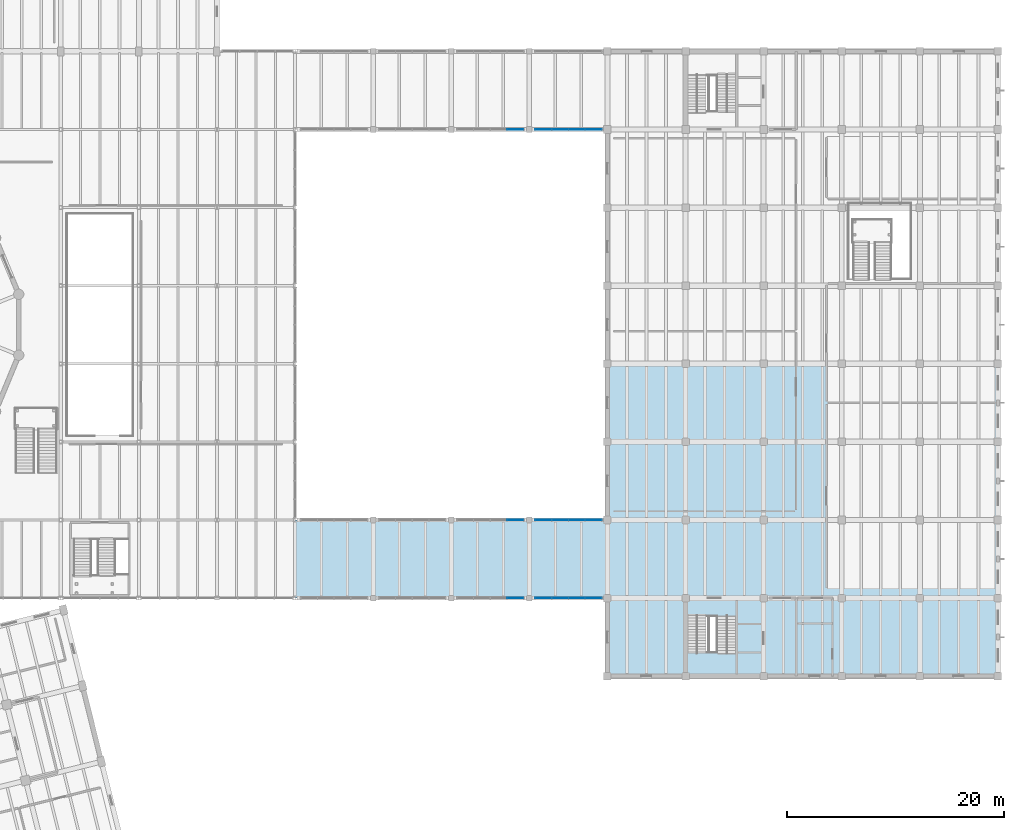
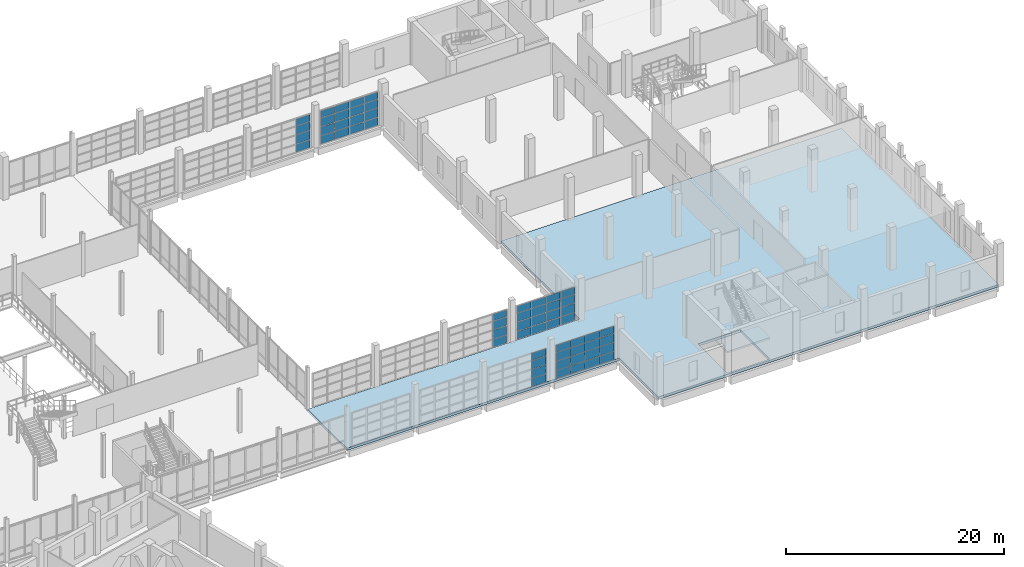
# One storey, part 56 of 77: 60 plates, 2 slabs, 7 elements without a shape of their own.
"""IFC4 building model written with IfcOpenShell, lengths in metres."""

from ifc_helpers import new_model, si_unit, direction, frame, frame_2d, origin, place, context, subcontext, project, spatial, polyline, rectangle, outline, extrude, material, layer, layer_set, type_object, element, aggregate, save


model = new_model("IFC4")

# Units and contexts
model_context = context("Model", 3, precision=1e-05, world=origin(), true_north=direction((0.0, 1.0)))
body_context = subcontext(model_context, "Body", "Model", "MODEL_VIEW")
ifc_project = project(units=[si_unit("LENGTHUNIT", "METRE"), si_unit("AREAUNIT", "SQUARE_METRE"), si_unit("VOLUMEUNIT", "CUBIC_METRE"), si_unit("PLANEANGLEUNIT", "RADIAN"), si_unit("MASSUNIT", "GRAM", prefix="KILO")], contexts=[model_context])

# Site, building, storey
site_placement = place(None, origin())
site = spatial("IfcSite", under=ifc_project, at=site_placement, CompositionType="ELEMENT")
building_placement = place(site_placement, origin())
building = spatial("IfcBuilding", under=site, at=building_placement, Name="Qiaolan Assembly House", CompositionType="ELEMENT")
storey_placement = place(building_placement, frame((0.0, 0.0, 5.39990234375)))
storey = spatial("IfcBuildingStorey", under=building, at=storey_placement, Name="L01", CompositionType="ELEMENT", Elevation=5.39990234375)

# Curtain wall, plates
ifc_material_1 = material(Name="Anodised bronze aluminium", Category="aluminium")
curtain_wall_type = type_object("IfcCurtainWallType", Name="CW-CLOISTER-420", PredefinedType="NOTDEFINED", material=ifc_material_1)
curtain_wall_1_placement = place(storey_placement, origin())
curtain_wall_1 = element("IfcCurtainWall", 1, at=curtain_wall_1_placement, inside=storey, type_object=curtain_wall_type, Name="CW-05 South Cloister outer arcade L01-3", PredefinedType="NOTDEFINED")
ifc_material_2 = material(Name="Low-E double insulating glass", Category="glass")
ifc_layer_1 = layer(ifc_material_2, 0.02587890625)
ifc_layer_set_1 = layer_set([ifc_layer_1], Name="Low-E double insulating glass")
plate_type = type_object("IfcPlateType", Name="CW-CLOISTER-420-PNL", PredefinedType="CURTAIN_PANEL", material=ifc_layer_set_1)
plate_1_placement = place(storey_placement, frame((127.56689453125, 36.0, 0.052978515625), z_axis=(0.0, 0.0, 1.0), x_axis=(1.0, 0.0, 0.0)))
plate_1 = element("IfcPlate", 2, at=plate_1_placement, type_object=plate_type, Name="GL-06 glazing panel CW-CLS-OUT-L01-2-13", PredefinedType="CURTAIN_PANEL", context=body_context, shape_type="SweptSolid", body=[
    extrude(rectangle(XDim=1.486083984375, YDim=0.02587890625, at=frame_2d((0.7431640625, 0.0))), origin(), (0.0, 0.0, 1.0), 0.8740234375),
])
plate_2_placement = place(storey_placement, frame((127.56689453125, 36.0, 0.97314453125), z_axis=(0.0, 0.0, 1.0), x_axis=(1.0, 0.0, 0.0)))
plate_2 = element("IfcPlate", 3, at=plate_2_placement, type_object=plate_type, Name="GL-06 glazing panel CW-CLS-OUT-L01-2-14", PredefinedType="CURTAIN_PANEL", context=body_context, shape_type="SweptSolid", body=[
    extrude(rectangle(XDim=1.486083984375, YDim=0.02587890625, at=frame_2d((0.7431640625, 0.0))), origin(), (0.0, 0.0, 1.0), 0.990234375),
])
plate_3_placement = place(storey_placement, frame((127.56689453125, 36.0, 2.009521484375), z_axis=(0.0, 0.0, 1.0), x_axis=(1.0, 0.0, 0.0)))
plate_3 = element("IfcPlate", 4, at=plate_3_placement, type_object=plate_type, Name="GL-06 glazing panel CW-CLS-OUT-L01-2-15", PredefinedType="CURTAIN_PANEL", context=body_context, shape_type="SweptSolid", body=[
    extrude(rectangle(XDim=1.486083984375, YDim=0.02587890625, at=frame_2d((0.7431640625, 0.0))), origin(), (0.0, 0.0, 1.0), 0.9375),
])
plate_4_placement = place(storey_placement, frame((127.56689453125, 36.0, 2.9931640625), z_axis=(0.0, 0.0, 1.0), x_axis=(1.0, 0.0, 0.0)))
plate_4 = element("IfcPlate", 5, at=plate_4_placement, type_object=plate_type, Name="GL-06 glazing panel CW-CLS-OUT-L01-2-16", PredefinedType="CURTAIN_PANEL", context=body_context, shape_type="SweptSolid", body=[
    extrude(rectangle(XDim=1.486083984375, YDim=0.02587890625, at=frame_2d((0.7431640625, 0.0))), origin(), (0.0, 0.0, 1.0), 0.77392578125),
])
aggregate(curtain_wall_1, [plate_1, plate_2, plate_3, plate_4])

curtain_wall_2_placement = place(storey_placement, origin())
curtain_wall_2 = element("IfcCurtainWall", 6, at=curtain_wall_2_placement, inside=storey, type_object=curtain_wall_type, Name="CW-05 South Cloister court arcade L01-3", PredefinedType="NOTDEFINED")
plate_5_placement = place(storey_placement, frame((129.052978515625, 43.199951171875, 0.052978515625), z_axis=(0.0, 0.0, 1.0), x_axis=(-1.0, 0.0, 0.0)))
plate_5 = element("IfcPlate", 7, at=plate_5_placement, type_object=plate_type, Name="GL-06 glazing panel CW-CLS-CRT-L01-2-1", PredefinedType="CURTAIN_PANEL", context=body_context, shape_type="SweptSolid", body=[
    extrude(rectangle(XDim=1.486083984375, YDim=0.02587890625, at=frame_2d((0.7431640625, 0.0))), origin(), (0.0, 0.0, 1.0), 0.8740234375),
])
plate_6_placement = place(storey_placement, frame((129.052978515625, 43.199951171875, 0.97314453125), z_axis=(0.0, 0.0, 1.0), x_axis=(-1.0, 0.0, 0.0)))
plate_6 = element("IfcPlate", 8, at=plate_6_placement, type_object=plate_type, Name="GL-06 glazing panel CW-CLS-CRT-L01-2-2", PredefinedType="CURTAIN_PANEL", context=body_context, shape_type="SweptSolid", body=[
    extrude(rectangle(XDim=1.486083984375, YDim=0.02587890625, at=frame_2d((0.7431640625, 0.0))), origin(), (0.0, 0.0, 1.0), 0.990234375),
])
plate_7_placement = place(storey_placement, frame((129.052978515625, 43.199951171875, 2.009521484375), z_axis=(0.0, 0.0, 1.0), x_axis=(-1.0, 0.0, 0.0)))
plate_7 = element("IfcPlate", 9, at=plate_7_placement, type_object=plate_type, Name="GL-06 glazing panel CW-CLS-CRT-L01-2-3", PredefinedType="CURTAIN_PANEL", context=body_context, shape_type="SweptSolid", body=[
    extrude(rectangle(XDim=1.486083984375, YDim=0.02587890625, at=frame_2d((0.7431640625, 0.0))), origin(), (0.0, 0.0, 1.0), 0.9375),
])
plate_8_placement = place(storey_placement, frame((129.052978515625, 43.199951171875, 2.9931640625), z_axis=(0.0, 0.0, 1.0), x_axis=(-1.0, 0.0, 0.0)))
plate_8 = element("IfcPlate", 10, at=plate_8_placement, type_object=plate_type, Name="GL-06 glazing panel CW-CLS-CRT-L01-2-4", PredefinedType="CURTAIN_PANEL", context=body_context, shape_type="SweptSolid", body=[
    extrude(rectangle(XDim=1.486083984375, YDim=0.02587890625, at=frame_2d((0.7431640625, 0.0))), origin(), (0.0, 0.0, 1.0), 0.77392578125),
])
aggregate(curtain_wall_2, [plate_5, plate_6, plate_7, plate_8])

curtain_wall_3_placement = place(storey_placement, origin())
curtain_wall_3 = element("IfcCurtainWall", 11, at=curtain_wall_3_placement, inside=storey, type_object=curtain_wall_type, Name="CW-05 North Cloister court arcade L01-3", PredefinedType="NOTDEFINED")
plate_9_placement = place(storey_placement, frame((127.56689453125, 79.199951171875, 0.052978515625), z_axis=(0.0, 0.0, 1.0), x_axis=(1.0, 0.0, 0.0)))
plate_9 = element("IfcPlate", 12, at=plate_9_placement, type_object=plate_type, Name="GL-06 glazing panel CW-CLN-CRT-L01-2-13", PredefinedType="CURTAIN_PANEL", context=body_context, shape_type="SweptSolid", body=[
    extrude(rectangle(XDim=1.486083984375, YDim=0.02587890625, at=frame_2d((0.7431640625, 0.0))), origin(), (0.0, 0.0, 1.0), 0.8740234375),
])
plate_10_placement = place(storey_placement, frame((127.56689453125, 79.199951171875, 0.97314453125), z_axis=(0.0, 0.0, 1.0), x_axis=(1.0, 0.0, 0.0)))
plate_10 = element("IfcPlate", 13, at=plate_10_placement, type_object=plate_type, Name="GL-06 glazing panel CW-CLN-CRT-L01-2-14", PredefinedType="CURTAIN_PANEL", context=body_context, shape_type="SweptSolid", body=[
    extrude(rectangle(XDim=1.486083984375, YDim=0.02587890625, at=frame_2d((0.7431640625, 0.0))), origin(), (0.0, 0.0, 1.0), 0.990234375),
])
plate_11_placement = place(storey_placement, frame((127.56689453125, 79.199951171875, 2.009521484375), z_axis=(0.0, 0.0, 1.0), x_axis=(1.0, 0.0, 0.0)))
plate_11 = element("IfcPlate", 14, at=plate_11_placement, type_object=plate_type, Name="GL-06 glazing panel CW-CLN-CRT-L01-2-15", PredefinedType="CURTAIN_PANEL", context=body_context, shape_type="SweptSolid", body=[
    extrude(rectangle(XDim=1.486083984375, YDim=0.02587890625, at=frame_2d((0.7431640625, 0.0))), origin(), (0.0, 0.0, 1.0), 0.9375),
])
plate_12_placement = place(storey_placement, frame((127.56689453125, 79.199951171875, 2.9931640625), z_axis=(0.0, 0.0, 1.0), x_axis=(1.0, 0.0, 0.0)))
plate_12 = element("IfcPlate", 15, at=plate_12_placement, type_object=plate_type, Name="GL-06 glazing panel CW-CLN-CRT-L01-2-16", PredefinedType="CURTAIN_PANEL", context=body_context, shape_type="SweptSolid", body=[
    extrude(rectangle(XDim=1.486083984375, YDim=0.02587890625, at=frame_2d((0.7431640625, 0.0))), origin(), (0.0, 0.0, 1.0), 0.77392578125),
])
aggregate(curtain_wall_3, [plate_9, plate_10, plate_11, plate_12])

curtain_wall_4_placement = place(storey_placement, origin())
curtain_wall_4 = element("IfcCurtainWall", 16, at=curtain_wall_4_placement, inside=storey, type_object=curtain_wall_type, Name="CW-05 South Cloister outer arcade L01-4", PredefinedType="NOTDEFINED")
plate_13_placement = place(storey_placement, frame((130.14697265625, 36.0, 0.052978515625), z_axis=(0.0, 0.0, 1.0), x_axis=(1.0, 0.0, 0.0)))
plate_13 = element("IfcPlate", 17, at=plate_13_placement, type_object=plate_type, Name="GL-06 glazing panel CW-CLS-OUT-L01-3-1", PredefinedType="CURTAIN_PANEL", context=body_context, shape_type="SweptSolid", body=[
    extrude(rectangle(XDim=1.486083984375, YDim=0.02587890625, at=frame_2d((0.7431640625, 0.0))), origin(), (0.0, 0.0, 1.0), 0.8740234375),
])
plate_14_placement = place(storey_placement, frame((130.14697265625, 36.0, 0.97314453125), z_axis=(0.0, 0.0, 1.0), x_axis=(1.0, 0.0, 0.0)))
plate_14 = element("IfcPlate", 18, at=plate_14_placement, type_object=plate_type, Name="GL-06 glazing panel CW-CLS-OUT-L01-3-2", PredefinedType="CURTAIN_PANEL", context=body_context, shape_type="SweptSolid", body=[
    extrude(rectangle(XDim=1.486083984375, YDim=0.02587890625, at=frame_2d((0.7431640625, 0.0))), origin(), (0.0, 0.0, 1.0), 0.990234375),
])
plate_15_placement = place(storey_placement, frame((130.14697265625, 36.0, 2.009521484375), z_axis=(0.0, 0.0, 1.0), x_axis=(1.0, 0.0, 0.0)))
plate_15 = element("IfcPlate", 19, at=plate_15_placement, type_object=plate_type, Name="GL-06 glazing panel CW-CLS-OUT-L01-3-3", PredefinedType="CURTAIN_PANEL", context=body_context, shape_type="SweptSolid", body=[
    extrude(rectangle(XDim=1.486083984375, YDim=0.02587890625, at=frame_2d((0.7431640625, 0.0))), origin(), (0.0, 0.0, 1.0), 0.9375),
])
plate_16_placement = place(storey_placement, frame((130.14697265625, 36.0, 2.9931640625), z_axis=(0.0, 0.0, 1.0), x_axis=(1.0, 0.0, 0.0)))
plate_16 = element("IfcPlate", 20, at=plate_16_placement, type_object=plate_type, Name="GL-06 glazing panel CW-CLS-OUT-L01-3-4", PredefinedType="CURTAIN_PANEL", context=body_context, shape_type="SweptSolid", body=[
    extrude(rectangle(XDim=1.486083984375, YDim=0.02587890625, at=frame_2d((0.7431640625, 0.0))), origin(), (0.0, 0.0, 1.0), 0.77392578125),
])
plate_17_placement = place(storey_placement, frame((131.68701171875, 36.0, 0.052978515625), z_axis=(0.0, 0.0, 1.0), x_axis=(1.0, 0.0, 0.0)))
plate_17 = element("IfcPlate", 21, at=plate_17_placement, type_object=plate_type, Name="GL-06 glazing panel CW-CLS-OUT-L01-3-5", PredefinedType="CURTAIN_PANEL", context=body_context, shape_type="SweptSolid", body=[
    extrude(rectangle(XDim=1.486083984375, YDim=0.02587890625, at=frame_2d((0.7431640625, 0.0))), origin(), (0.0, 0.0, 1.0), 0.8740234375),
])
plate_18_placement = place(storey_placement, frame((131.68701171875, 36.0, 0.97314453125), z_axis=(0.0, 0.0, 1.0), x_axis=(1.0, 0.0, 0.0)))
plate_18 = element("IfcPlate", 22, at=plate_18_placement, type_object=plate_type, Name="GL-06 glazing panel CW-CLS-OUT-L01-3-6", PredefinedType="CURTAIN_PANEL", context=body_context, shape_type="SweptSolid", body=[
    extrude(rectangle(XDim=1.486083984375, YDim=0.02587890625, at=frame_2d((0.7431640625, 0.0))), origin(), (0.0, 0.0, 1.0), 0.990234375),
])
plate_19_placement = place(storey_placement, frame((131.68701171875, 36.0, 2.009521484375), z_axis=(0.0, 0.0, 1.0), x_axis=(1.0, 0.0, 0.0)))
plate_19 = element("IfcPlate", 23, at=plate_19_placement, type_object=plate_type, Name="GL-06 glazing panel CW-CLS-OUT-L01-3-7", PredefinedType="CURTAIN_PANEL", context=body_context, shape_type="SweptSolid", body=[
    extrude(rectangle(XDim=1.486083984375, YDim=0.02587890625, at=frame_2d((0.7431640625, 0.0))), origin(), (0.0, 0.0, 1.0), 0.9375),
])
plate_20_placement = place(storey_placement, frame((131.68701171875, 36.0, 2.9931640625), z_axis=(0.0, 0.0, 1.0), x_axis=(1.0, 0.0, 0.0)))
plate_20 = element("IfcPlate", 24, at=plate_20_placement, type_object=plate_type, Name="GL-06 glazing panel CW-CLS-OUT-L01-3-8", PredefinedType="CURTAIN_PANEL", context=body_context, shape_type="SweptSolid", body=[
    extrude(rectangle(XDim=1.486083984375, YDim=0.02587890625, at=frame_2d((0.7431640625, 0.0))), origin(), (0.0, 0.0, 1.0), 0.77392578125),
])
plate_21_placement = place(storey_placement, frame((133.22705078125, 36.0, 0.052978515625), z_axis=(0.0, 0.0, 1.0), x_axis=(1.0, 0.0, 0.0)))
plate_21 = element("IfcPlate", 25, at=plate_21_placement, type_object=plate_type, Name="GL-06 glazing panel CW-CLS-OUT-L01-3-9", PredefinedType="CURTAIN_PANEL", context=body_context, shape_type="SweptSolid", body=[
    extrude(rectangle(XDim=1.48583984375, YDim=0.02587890625, at=frame_2d((0.742919921875, 0.0))), origin(), (0.0, 0.0, 1.0), 0.8740234375),
])
plate_22_placement = place(storey_placement, frame((133.22705078125, 36.0, 0.97314453125), z_axis=(0.0, 0.0, 1.0), x_axis=(1.0, 0.0, 0.0)))
plate_22 = element("IfcPlate", 26, at=plate_22_placement, type_object=plate_type, Name="GL-06 glazing panel CW-CLS-OUT-L01-3-10", PredefinedType="CURTAIN_PANEL", context=body_context, shape_type="SweptSolid", body=[
    extrude(rectangle(XDim=1.48583984375, YDim=0.02587890625, at=frame_2d((0.742919921875, 0.0))), origin(), (0.0, 0.0, 1.0), 0.990234375),
])
plate_23_placement = place(storey_placement, frame((133.22705078125, 36.0, 2.009521484375), z_axis=(0.0, 0.0, 1.0), x_axis=(1.0, 0.0, 0.0)))
plate_23 = element("IfcPlate", 27, at=plate_23_placement, type_object=plate_type, Name="GL-06 glazing panel CW-CLS-OUT-L01-3-11", PredefinedType="CURTAIN_PANEL", context=body_context, shape_type="SweptSolid", body=[
    extrude(rectangle(XDim=1.48583984375, YDim=0.02587890625, at=frame_2d((0.742919921875, 0.0))), origin(), (0.0, 0.0, 1.0), 0.9375),
])
plate_24_placement = place(storey_placement, frame((133.22705078125, 36.0, 2.9931640625), z_axis=(0.0, 0.0, 1.0), x_axis=(1.0, 0.0, 0.0)))
plate_24 = element("IfcPlate", 28, at=plate_24_placement, type_object=plate_type, Name="GL-06 glazing panel CW-CLS-OUT-L01-3-12", PredefinedType="CURTAIN_PANEL", context=body_context, shape_type="SweptSolid", body=[
    extrude(rectangle(XDim=1.48583984375, YDim=0.02587890625, at=frame_2d((0.742919921875, 0.0))), origin(), (0.0, 0.0, 1.0), 0.77392578125),
])
plate_25_placement = place(storey_placement, frame((134.76708984375, 36.0, 0.052978515625), z_axis=(0.0, 0.0, 1.0), x_axis=(1.0, 0.0, 0.0)))
plate_25 = element("IfcPlate", 29, at=plate_25_placement, type_object=plate_type, Name="GL-06 glazing panel CW-CLS-OUT-L01-3-13", PredefinedType="CURTAIN_PANEL", context=body_context, shape_type="SweptSolid", body=[
    extrude(rectangle(XDim=1.48583984375, YDim=0.02587890625, at=frame_2d((0.742919921875, 0.0))), origin(), (0.0, 0.0, 1.0), 0.8740234375),
])
plate_26_placement = place(storey_placement, frame((134.76708984375, 36.0, 0.97314453125), z_axis=(0.0, 0.0, 1.0), x_axis=(1.0, 0.0, 0.0)))
plate_26 = element("IfcPlate", 30, at=plate_26_placement, type_object=plate_type, Name="GL-06 glazing panel CW-CLS-OUT-L01-3-14", PredefinedType="CURTAIN_PANEL", context=body_context, shape_type="SweptSolid", body=[
    extrude(rectangle(XDim=1.48583984375, YDim=0.02587890625, at=frame_2d((0.742919921875, 0.0))), origin(), (0.0, 0.0, 1.0), 0.990234375),
])
plate_27_placement = place(storey_placement, frame((134.76708984375, 36.0, 2.009521484375), z_axis=(0.0, 0.0, 1.0), x_axis=(1.0, 0.0, 0.0)))
plate_27 = element("IfcPlate", 31, at=plate_27_placement, type_object=plate_type, Name="GL-06 glazing panel CW-CLS-OUT-L01-3-15", PredefinedType="CURTAIN_PANEL", context=body_context, shape_type="SweptSolid", body=[
    extrude(rectangle(XDim=1.48583984375, YDim=0.02587890625, at=frame_2d((0.742919921875, 0.0))), origin(), (0.0, 0.0, 1.0), 0.9375),
])
plate_28_placement = place(storey_placement, frame((134.76708984375, 36.0, 2.9931640625), z_axis=(0.0, 0.0, 1.0), x_axis=(1.0, 0.0, 0.0)))
plate_28 = element("IfcPlate", 32, at=plate_28_placement, type_object=plate_type, Name="GL-06 glazing panel CW-CLS-OUT-L01-3-16", PredefinedType="CURTAIN_PANEL", context=body_context, shape_type="SweptSolid", body=[
    extrude(rectangle(XDim=1.48583984375, YDim=0.02587890625, at=frame_2d((0.742919921875, 0.0))), origin(), (0.0, 0.0, 1.0), 0.77392578125),
])
aggregate(curtain_wall_4, [plate_13, plate_14, plate_15, plate_16, plate_17, plate_18, plate_19, plate_20, plate_21, plate_22, plate_23, plate_24, plate_25, plate_26, plate_27, plate_28])

curtain_wall_5_placement = place(storey_placement, origin())
curtain_wall_5 = element("IfcCurtainWall", 33, at=curtain_wall_5_placement, inside=storey, type_object=curtain_wall_type, Name="CW-05 South Cloister court arcade L01-4", PredefinedType="NOTDEFINED")
plate_29_placement = place(storey_placement, frame((136.2529296875, 43.199951171875, 0.052978515625), z_axis=(0.0, 0.0, 1.0), x_axis=(-1.0, 0.0, 0.0)))
plate_29 = element("IfcPlate", 34, at=plate_29_placement, type_object=plate_type, Name="GL-06 glazing panel CW-CLS-CRT-L01-3-1", PredefinedType="CURTAIN_PANEL", context=body_context, shape_type="SweptSolid", body=[
    extrude(rectangle(XDim=1.48583984375, YDim=0.02587890625, at=frame_2d((0.742919921875, 0.0))), origin(), (0.0, 0.0, 1.0), 0.8740234375),
])
plate_30_placement = place(storey_placement, frame((136.2529296875, 43.199951171875, 0.97314453125), z_axis=(0.0, 0.0, 1.0), x_axis=(-1.0, 0.0, 0.0)))
plate_30 = element("IfcPlate", 35, at=plate_30_placement, type_object=plate_type, Name="GL-06 glazing panel CW-CLS-CRT-L01-3-2", PredefinedType="CURTAIN_PANEL", context=body_context, shape_type="SweptSolid", body=[
    extrude(rectangle(XDim=1.48583984375, YDim=0.02587890625, at=frame_2d((0.742919921875, 0.0))), origin(), (0.0, 0.0, 1.0), 0.990234375),
])
plate_31_placement = place(storey_placement, frame((136.2529296875, 43.199951171875, 2.009521484375), z_axis=(0.0, 0.0, 1.0), x_axis=(-1.0, 0.0, 0.0)))
plate_31 = element("IfcPlate", 36, at=plate_31_placement, type_object=plate_type, Name="GL-06 glazing panel CW-CLS-CRT-L01-3-3", PredefinedType="CURTAIN_PANEL", context=body_context, shape_type="SweptSolid", body=[
    extrude(rectangle(XDim=1.48583984375, YDim=0.02587890625, at=frame_2d((0.742919921875, 0.0))), origin(), (0.0, 0.0, 1.0), 0.9375),
])
plate_32_placement = place(storey_placement, frame((136.2529296875, 43.199951171875, 2.9931640625), z_axis=(0.0, 0.0, 1.0), x_axis=(-1.0, 0.0, 0.0)))
plate_32 = element("IfcPlate", 37, at=plate_32_placement, type_object=plate_type, Name="GL-06 glazing panel CW-CLS-CRT-L01-3-4", PredefinedType="CURTAIN_PANEL", context=body_context, shape_type="SweptSolid", body=[
    extrude(rectangle(XDim=1.48583984375, YDim=0.02587890625, at=frame_2d((0.742919921875, 0.0))), origin(), (0.0, 0.0, 1.0), 0.77392578125),
])
plate_33_placement = place(storey_placement, frame((134.712890625, 43.199951171875, 0.052978515625), z_axis=(0.0, 0.0, 1.0), x_axis=(-1.0, 0.0, 0.0)))
plate_33 = element("IfcPlate", 38, at=plate_33_placement, type_object=plate_type, Name="GL-06 glazing panel CW-CLS-CRT-L01-3-5", PredefinedType="CURTAIN_PANEL", context=body_context, shape_type="SweptSolid", body=[
    extrude(rectangle(XDim=1.48583984375, YDim=0.02587890625, at=frame_2d((0.742919921875, 0.0))), origin(), (0.0, 0.0, 1.0), 0.8740234375),
])
plate_34_placement = place(storey_placement, frame((134.712890625, 43.199951171875, 0.97314453125), z_axis=(0.0, 0.0, 1.0), x_axis=(-1.0, 0.0, 0.0)))
plate_34 = element("IfcPlate", 39, at=plate_34_placement, type_object=plate_type, Name="GL-06 glazing panel CW-CLS-CRT-L01-3-6", PredefinedType="CURTAIN_PANEL", context=body_context, shape_type="SweptSolid", body=[
    extrude(rectangle(XDim=1.48583984375, YDim=0.02587890625, at=frame_2d((0.742919921875, 0.0))), origin(), (0.0, 0.0, 1.0), 0.990234375),
])
plate_35_placement = place(storey_placement, frame((134.712890625, 43.199951171875, 2.009521484375), z_axis=(0.0, 0.0, 1.0), x_axis=(-1.0, 0.0, 0.0)))
plate_35 = element("IfcPlate", 40, at=plate_35_placement, type_object=plate_type, Name="GL-06 glazing panel CW-CLS-CRT-L01-3-7", PredefinedType="CURTAIN_PANEL", context=body_context, shape_type="SweptSolid", body=[
    extrude(rectangle(XDim=1.48583984375, YDim=0.02587890625, at=frame_2d((0.742919921875, 0.0))), origin(), (0.0, 0.0, 1.0), 0.9375),
])
plate_36_placement = place(storey_placement, frame((134.712890625, 43.199951171875, 2.9931640625), z_axis=(0.0, 0.0, 1.0), x_axis=(-1.0, 0.0, 0.0)))
plate_36 = element("IfcPlate", 41, at=plate_36_placement, type_object=plate_type, Name="GL-06 glazing panel CW-CLS-CRT-L01-3-8", PredefinedType="CURTAIN_PANEL", context=body_context, shape_type="SweptSolid", body=[
    extrude(rectangle(XDim=1.48583984375, YDim=0.02587890625, at=frame_2d((0.742919921875, 0.0))), origin(), (0.0, 0.0, 1.0), 0.77392578125),
])
plate_37_placement = place(storey_placement, frame((133.173095703125, 43.199951171875, 0.052978515625), z_axis=(0.0, 0.0, 1.0), x_axis=(-1.0, 0.0, 0.0)))
plate_37 = element("IfcPlate", 42, at=plate_37_placement, type_object=plate_type, Name="GL-06 glazing panel CW-CLS-CRT-L01-3-9", PredefinedType="CURTAIN_PANEL", context=body_context, shape_type="SweptSolid", body=[
    extrude(rectangle(XDim=1.486083984375, YDim=0.02587890625, at=frame_2d((0.7431640625, 0.0))), origin(), (0.0, 0.0, 1.0), 0.8740234375),
])
plate_38_placement = place(storey_placement, frame((133.173095703125, 43.199951171875, 0.97314453125), z_axis=(0.0, 0.0, 1.0), x_axis=(-1.0, 0.0, 0.0)))
plate_38 = element("IfcPlate", 43, at=plate_38_placement, type_object=plate_type, Name="GL-06 glazing panel CW-CLS-CRT-L01-3-10", PredefinedType="CURTAIN_PANEL", context=body_context, shape_type="SweptSolid", body=[
    extrude(rectangle(XDim=1.486083984375, YDim=0.02587890625, at=frame_2d((0.7431640625, 0.0))), origin(), (0.0, 0.0, 1.0), 0.990234375),
])
plate_39_placement = place(storey_placement, frame((133.173095703125, 43.199951171875, 2.009521484375), z_axis=(0.0, 0.0, 1.0), x_axis=(-1.0, 0.0, 0.0)))
plate_39 = element("IfcPlate", 44, at=plate_39_placement, type_object=plate_type, Name="GL-06 glazing panel CW-CLS-CRT-L01-3-11", PredefinedType="CURTAIN_PANEL", context=body_context, shape_type="SweptSolid", body=[
    extrude(rectangle(XDim=1.486083984375, YDim=0.02587890625, at=frame_2d((0.7431640625, 0.0))), origin(), (0.0, 0.0, 1.0), 0.9375),
])
plate_40_placement = place(storey_placement, frame((133.173095703125, 43.199951171875, 2.9931640625), z_axis=(0.0, 0.0, 1.0), x_axis=(-1.0, 0.0, 0.0)))
plate_40 = element("IfcPlate", 45, at=plate_40_placement, type_object=plate_type, Name="GL-06 glazing panel CW-CLS-CRT-L01-3-12", PredefinedType="CURTAIN_PANEL", context=body_context, shape_type="SweptSolid", body=[
    extrude(rectangle(XDim=1.486083984375, YDim=0.02587890625, at=frame_2d((0.7431640625, 0.0))), origin(), (0.0, 0.0, 1.0), 0.77392578125),
])
plate_41_placement = place(storey_placement, frame((131.633056640625, 43.199951171875, 0.052978515625), z_axis=(0.0, 0.0, 1.0), x_axis=(-1.0, 0.0, 0.0)))
plate_41 = element("IfcPlate", 46, at=plate_41_placement, type_object=plate_type, Name="GL-06 glazing panel CW-CLS-CRT-L01-3-13", PredefinedType="CURTAIN_PANEL", context=body_context, shape_type="SweptSolid", body=[
    extrude(rectangle(XDim=1.486083984375, YDim=0.02587890625, at=frame_2d((0.7431640625, 0.0))), origin(), (0.0, 0.0, 1.0), 0.8740234375),
])
plate_42_placement = place(storey_placement, frame((131.633056640625, 43.199951171875, 0.97314453125), z_axis=(0.0, 0.0, 1.0), x_axis=(-1.0, 0.0, 0.0)))
plate_42 = element("IfcPlate", 47, at=plate_42_placement, type_object=plate_type, Name="GL-06 glazing panel CW-CLS-CRT-L01-3-14", PredefinedType="CURTAIN_PANEL", context=body_context, shape_type="SweptSolid", body=[
    extrude(rectangle(XDim=1.486083984375, YDim=0.02587890625, at=frame_2d((0.7431640625, 0.0))), origin(), (0.0, 0.0, 1.0), 0.990234375),
])
plate_43_placement = place(storey_placement, frame((131.633056640625, 43.199951171875, 2.009521484375), z_axis=(0.0, 0.0, 1.0), x_axis=(-1.0, 0.0, 0.0)))
plate_43 = element("IfcPlate", 48, at=plate_43_placement, type_object=plate_type, Name="GL-06 glazing panel CW-CLS-CRT-L01-3-15", PredefinedType="CURTAIN_PANEL", context=body_context, shape_type="SweptSolid", body=[
    extrude(rectangle(XDim=1.486083984375, YDim=0.02587890625, at=frame_2d((0.7431640625, 0.0))), origin(), (0.0, 0.0, 1.0), 0.9375),
])
plate_44_placement = place(storey_placement, frame((131.633056640625, 43.199951171875, 2.9931640625), z_axis=(0.0, 0.0, 1.0), x_axis=(-1.0, 0.0, 0.0)))
plate_44 = element("IfcPlate", 49, at=plate_44_placement, type_object=plate_type, Name="GL-06 glazing panel CW-CLS-CRT-L01-3-16", PredefinedType="CURTAIN_PANEL", context=body_context, shape_type="SweptSolid", body=[
    extrude(rectangle(XDim=1.486083984375, YDim=0.02587890625, at=frame_2d((0.7431640625, 0.0))), origin(), (0.0, 0.0, 1.0), 0.77392578125),
])
aggregate(curtain_wall_5, [plate_29, plate_30, plate_31, plate_32, plate_33, plate_34, plate_35, plate_36, plate_37, plate_38, plate_39, plate_40, plate_41, plate_42, plate_43, plate_44])

curtain_wall_6_placement = place(storey_placement, origin())
curtain_wall_6 = element("IfcCurtainWall", 50, at=curtain_wall_6_placement, inside=storey, type_object=curtain_wall_type, Name="CW-05 North Cloister court arcade L01-4", PredefinedType="NOTDEFINED")
plate_45_placement = place(storey_placement, frame((130.14697265625, 79.199951171875, 0.052978515625), z_axis=(0.0, 0.0, 1.0), x_axis=(1.0, 0.0, 0.0)))
plate_45 = element("IfcPlate", 51, at=plate_45_placement, type_object=plate_type, Name="GL-06 glazing panel CW-CLN-CRT-L01-3-1", PredefinedType="CURTAIN_PANEL", context=body_context, shape_type="SweptSolid", body=[
    extrude(rectangle(XDim=1.486083984375, YDim=0.02587890625, at=frame_2d((0.7431640625, 0.0))), origin(), (0.0, 0.0, 1.0), 0.8740234375),
])
plate_46_placement = place(storey_placement, frame((130.14697265625, 79.199951171875, 0.97314453125), z_axis=(0.0, 0.0, 1.0), x_axis=(1.0, 0.0, 0.0)))
plate_46 = element("IfcPlate", 52, at=plate_46_placement, type_object=plate_type, Name="GL-06 glazing panel CW-CLN-CRT-L01-3-2", PredefinedType="CURTAIN_PANEL", context=body_context, shape_type="SweptSolid", body=[
    extrude(rectangle(XDim=1.486083984375, YDim=0.02587890625, at=frame_2d((0.7431640625, 0.0))), origin(), (0.0, 0.0, 1.0), 0.990234375),
])
plate_47_placement = place(storey_placement, frame((130.14697265625, 79.199951171875, 2.009521484375), z_axis=(0.0, 0.0, 1.0), x_axis=(1.0, 0.0, 0.0)))
plate_47 = element("IfcPlate", 53, at=plate_47_placement, type_object=plate_type, Name="GL-06 glazing panel CW-CLN-CRT-L01-3-3", PredefinedType="CURTAIN_PANEL", context=body_context, shape_type="SweptSolid", body=[
    extrude(rectangle(XDim=1.486083984375, YDim=0.02587890625, at=frame_2d((0.7431640625, 0.0))), origin(), (0.0, 0.0, 1.0), 0.9375),
])
plate_48_placement = place(storey_placement, frame((130.14697265625, 79.199951171875, 2.9931640625), z_axis=(0.0, 0.0, 1.0), x_axis=(1.0, 0.0, 0.0)))
plate_48 = element("IfcPlate", 54, at=plate_48_placement, type_object=plate_type, Name="GL-06 glazing panel CW-CLN-CRT-L01-3-4", PredefinedType="CURTAIN_PANEL", context=body_context, shape_type="SweptSolid", body=[
    extrude(rectangle(XDim=1.486083984375, YDim=0.02587890625, at=frame_2d((0.7431640625, 0.0))), origin(), (0.0, 0.0, 1.0), 0.77392578125),
])
plate_49_placement = place(storey_placement, frame((131.68701171875, 79.199951171875, 0.052978515625), z_axis=(0.0, 0.0, 1.0), x_axis=(1.0, 0.0, 0.0)))
plate_49 = element("IfcPlate", 55, at=plate_49_placement, type_object=plate_type, Name="GL-06 glazing panel CW-CLN-CRT-L01-3-5", PredefinedType="CURTAIN_PANEL", context=body_context, shape_type="SweptSolid", body=[
    extrude(rectangle(XDim=1.486083984375, YDim=0.02587890625, at=frame_2d((0.7431640625, 0.0))), origin(), (0.0, 0.0, 1.0), 0.8740234375),
])
plate_50_placement = place(storey_placement, frame((131.68701171875, 79.199951171875, 0.97314453125), z_axis=(0.0, 0.0, 1.0), x_axis=(1.0, 0.0, 0.0)))
plate_50 = element("IfcPlate", 56, at=plate_50_placement, type_object=plate_type, Name="GL-06 glazing panel CW-CLN-CRT-L01-3-6", PredefinedType="CURTAIN_PANEL", context=body_context, shape_type="SweptSolid", body=[
    extrude(rectangle(XDim=1.486083984375, YDim=0.02587890625, at=frame_2d((0.7431640625, 0.0))), origin(), (0.0, 0.0, 1.0), 0.990234375),
])
plate_51_placement = place(storey_placement, frame((131.68701171875, 79.199951171875, 2.009521484375), z_axis=(0.0, 0.0, 1.0), x_axis=(1.0, 0.0, 0.0)))
plate_51 = element("IfcPlate", 57, at=plate_51_placement, type_object=plate_type, Name="GL-06 glazing panel CW-CLN-CRT-L01-3-7", PredefinedType="CURTAIN_PANEL", context=body_context, shape_type="SweptSolid", body=[
    extrude(rectangle(XDim=1.486083984375, YDim=0.02587890625, at=frame_2d((0.7431640625, 0.0))), origin(), (0.0, 0.0, 1.0), 0.9375),
])
plate_52_placement = place(storey_placement, frame((131.68701171875, 79.199951171875, 2.9931640625), z_axis=(0.0, 0.0, 1.0), x_axis=(1.0, 0.0, 0.0)))
plate_52 = element("IfcPlate", 58, at=plate_52_placement, type_object=plate_type, Name="GL-06 glazing panel CW-CLN-CRT-L01-3-8", PredefinedType="CURTAIN_PANEL", context=body_context, shape_type="SweptSolid", body=[
    extrude(rectangle(XDim=1.486083984375, YDim=0.02587890625, at=frame_2d((0.7431640625, 0.0))), origin(), (0.0, 0.0, 1.0), 0.77392578125),
])
plate_53_placement = place(storey_placement, frame((133.22705078125, 79.199951171875, 0.052978515625), z_axis=(0.0, 0.0, 1.0), x_axis=(1.0, 0.0, 0.0)))
plate_53 = element("IfcPlate", 59, at=plate_53_placement, type_object=plate_type, Name="GL-06 glazing panel CW-CLN-CRT-L01-3-9", PredefinedType="CURTAIN_PANEL", context=body_context, shape_type="SweptSolid", body=[
    extrude(rectangle(XDim=1.48583984375, YDim=0.02587890625, at=frame_2d((0.742919921875, 0.0))), origin(), (0.0, 0.0, 1.0), 0.8740234375),
])
plate_54_placement = place(storey_placement, frame((133.22705078125, 79.199951171875, 0.97314453125), z_axis=(0.0, 0.0, 1.0), x_axis=(1.0, 0.0, 0.0)))
plate_54 = element("IfcPlate", 60, at=plate_54_placement, type_object=plate_type, Name="GL-06 glazing panel CW-CLN-CRT-L01-3-10", PredefinedType="CURTAIN_PANEL", context=body_context, shape_type="SweptSolid", body=[
    extrude(rectangle(XDim=1.48583984375, YDim=0.02587890625, at=frame_2d((0.742919921875, 0.0))), origin(), (0.0, 0.0, 1.0), 0.990234375),
])
plate_55_placement = place(storey_placement, frame((133.22705078125, 79.199951171875, 2.009521484375), z_axis=(0.0, 0.0, 1.0), x_axis=(1.0, 0.0, 0.0)))
plate_55 = element("IfcPlate", 61, at=plate_55_placement, type_object=plate_type, Name="GL-06 glazing panel CW-CLN-CRT-L01-3-11", PredefinedType="CURTAIN_PANEL", context=body_context, shape_type="SweptSolid", body=[
    extrude(rectangle(XDim=1.48583984375, YDim=0.02587890625, at=frame_2d((0.742919921875, 0.0))), origin(), (0.0, 0.0, 1.0), 0.9375),
])
plate_56_placement = place(storey_placement, frame((133.22705078125, 79.199951171875, 2.9931640625), z_axis=(0.0, 0.0, 1.0), x_axis=(1.0, 0.0, 0.0)))
plate_56 = element("IfcPlate", 62, at=plate_56_placement, type_object=plate_type, Name="GL-06 glazing panel CW-CLN-CRT-L01-3-12", PredefinedType="CURTAIN_PANEL", context=body_context, shape_type="SweptSolid", body=[
    extrude(rectangle(XDim=1.48583984375, YDim=0.02587890625, at=frame_2d((0.742919921875, 0.0))), origin(), (0.0, 0.0, 1.0), 0.77392578125),
])
plate_57_placement = place(storey_placement, frame((134.76708984375, 79.199951171875, 0.052978515625), z_axis=(0.0, 0.0, 1.0), x_axis=(1.0, 0.0, 0.0)))
plate_57 = element("IfcPlate", 63, at=plate_57_placement, type_object=plate_type, Name="GL-06 glazing panel CW-CLN-CRT-L01-3-13", PredefinedType="CURTAIN_PANEL", context=body_context, shape_type="SweptSolid", body=[
    extrude(rectangle(XDim=1.48583984375, YDim=0.02587890625, at=frame_2d((0.742919921875, 0.0))), origin(), (0.0, 0.0, 1.0), 0.8740234375),
])
plate_58_placement = place(storey_placement, frame((134.76708984375, 79.199951171875, 0.97314453125), z_axis=(0.0, 0.0, 1.0), x_axis=(1.0, 0.0, 0.0)))
plate_58 = element("IfcPlate", 64, at=plate_58_placement, type_object=plate_type, Name="GL-06 glazing panel CW-CLN-CRT-L01-3-14", PredefinedType="CURTAIN_PANEL", context=body_context, shape_type="SweptSolid", body=[
    extrude(rectangle(XDim=1.48583984375, YDim=0.02587890625, at=frame_2d((0.742919921875, 0.0))), origin(), (0.0, 0.0, 1.0), 0.990234375),
])
plate_59_placement = place(storey_placement, frame((134.76708984375, 79.199951171875, 2.009521484375), z_axis=(0.0, 0.0, 1.0), x_axis=(1.0, 0.0, 0.0)))
plate_59 = element("IfcPlate", 65, at=plate_59_placement, type_object=plate_type, Name="GL-06 glazing panel CW-CLN-CRT-L01-3-15", PredefinedType="CURTAIN_PANEL", context=body_context, shape_type="SweptSolid", body=[
    extrude(rectangle(XDim=1.48583984375, YDim=0.02587890625, at=frame_2d((0.742919921875, 0.0))), origin(), (0.0, 0.0, 1.0), 0.9375),
])
plate_60_placement = place(storey_placement, frame((134.76708984375, 79.199951171875, 2.9931640625), z_axis=(0.0, 0.0, 1.0), x_axis=(1.0, 0.0, 0.0)))
plate_60 = element("IfcPlate", 66, at=plate_60_placement, type_object=plate_type, Name="GL-06 glazing panel CW-CLN-CRT-L01-3-16", PredefinedType="CURTAIN_PANEL", context=body_context, shape_type="SweptSolid", body=[
    extrude(rectangle(XDim=1.48583984375, YDim=0.02587890625, at=frame_2d((0.742919921875, 0.0))), origin(), (0.0, 0.0, 1.0), 0.77392578125),
])
aggregate(curtain_wall_6, [plate_45, plate_46, plate_47, plate_48, plate_49, plate_50, plate_51, plate_52, plate_53, plate_54, plate_55, plate_56, plate_57, plate_58, plate_59, plate_60])

# Stair, slab
ifc_material_3 = material(Name="Concrete C40/50", Category="concrete")
stair_type = type_object("IfcStairType", Name="STR-BSMT-480", PredefinedType="HALF_TURN_STAIR", material=ifc_material_3)
stair_placement = place(storey_placement, origin())
stair = element("IfcStair", 67, at=stair_placement, inside=storey, type_object=stair_type, Name="ST-04 enclosed egress stair CORE-E L01", PredefinedType="HALF_TURN_STAIR")
ifc_layer_2 = layer(ifc_material_3, 0.199951171875)
ifc_layer_set_2 = layer_set([ifc_layer_2], Name="Concrete C40/50")
slab_type_1 = type_object("IfcSlabType", Name="SLB-LANDING-200", PredefinedType="LANDING", material=ifc_layer_set_2)
slab_1_placement = place(storey_placement, frame((0.0, 0.0, 2.2001953125)))
slab_1 = element("IfcSlab", 68, at=slab_1_placement, type_object=slab_type_1, Name="Stair landing LND-CORE-E-L01-HL", PredefinedType="LANDING", context=body_context, shape_type="SweptSolid", body=[
    extrude(outline(polyline([(144.179931640625, 28.97998046875), (144.179931640625, 31.110107421875), (148.719970703125, 31.110107421875), (148.719970703125, 28.97998046875), (144.179931640625, 28.97998046875)])), origin(), (0.0, 0.0, 1.0), 0.199951171875),
])
aggregate(stair, [slab_1])

# Slab
ifc_layer_3 = layer(ifc_material_3, 0.27001953125)
ifc_layer_set_3 = layer_set([ifc_layer_3], Name="Concrete C40/50")
slab_type_2 = type_object("IfcSlabType", Name="SLB-LIB-STACK-270", PredefinedType="FLOOR", material=ifc_layer_set_3)
slab_2_placement = place(storey_placement, frame((0.0, 0.0, -0.27001953125)))
element("IfcSlab", 69, at=slab_2_placement, inside=storey, type_object=slab_type_2, Name="FS-05 East Members' Library South Wing Slab L01", PredefinedType="FLOOR", context=body_context, shape_type="SweptSolid", body=[
    extrude(outline(polyline([(108.0, 36.0), (136.800048828125, 36.0), (136.800048828125, 28.800048828125), (172.800048828125, 28.800048828125), (172.800048828125, 57.60009765625), (136.800048828125, 57.60009765625), (136.800048828125, 43.199951171875), (108.0, 43.199951171875), (108.0, 36.0)]), holes=[polyline([(144.199951171875, 29.0), (144.199951171875, 34.35009765625), (148.679931640625, 34.35009765625), (148.679931640625, 29.0), (144.199951171875, 29.0)])]), origin(), (0.0, 0.0, 1.0), 0.27001953125),
])

save(model, "model.ifc")
